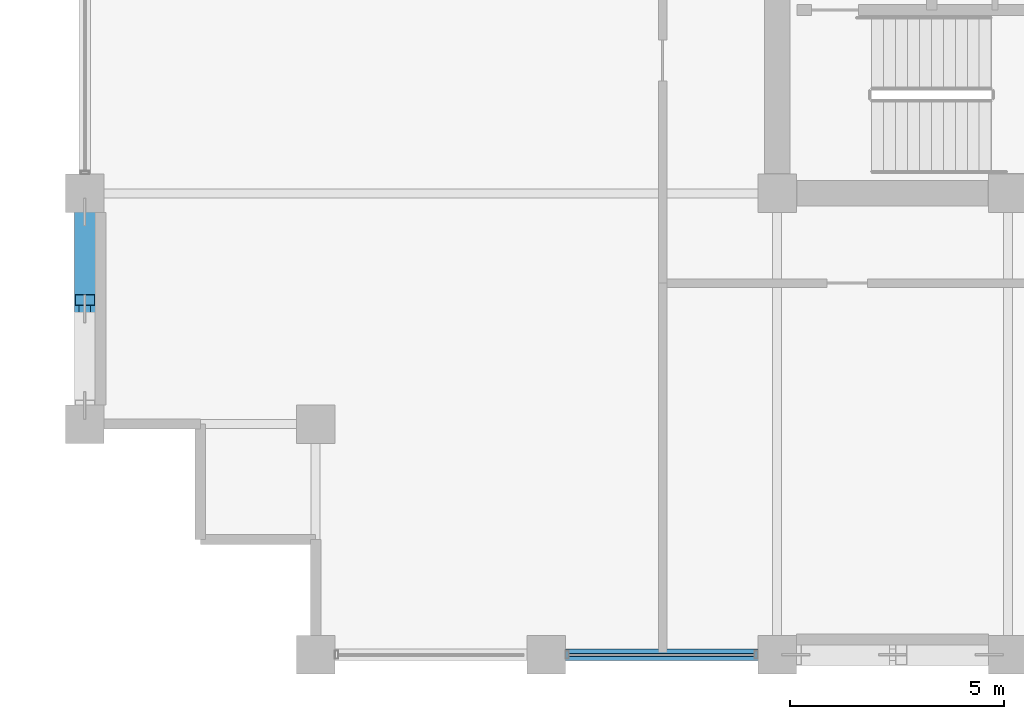
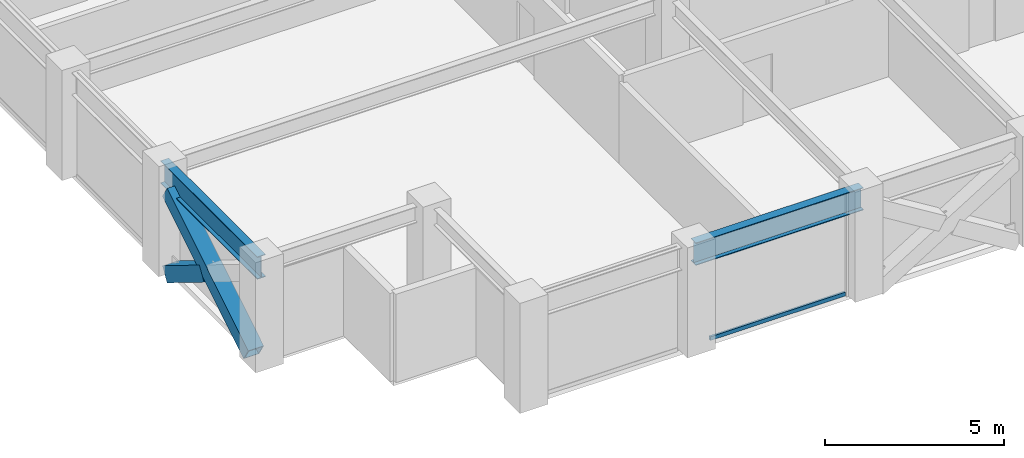
# One storey, part 3 of 32: 3 members, 2 beams, 1 element without a shape of its own.
"""IFC4 building model written with IfcOpenShell, lengths in metres."""

from ifc_helpers import new_model, si_unit, direction, frame, origin, origin_2d, place, context, subcontext, project, spatial, hollow_rectangle, i_section, extrude, material, layer, layer_set, material_profile, profile_set, type_object, element, aggregate, save


model = new_model("IFC4")

# Units and contexts
model_context = context("Model", 3, precision=1e-05, world=origin(), true_north=direction((0.0, 1.0)))
body_context = subcontext(model_context, "Body", "Model", "MODEL_VIEW")
ifc_project = project(units=[si_unit("LENGTHUNIT", "METRE"), si_unit("AREAUNIT", "SQUARE_METRE"), si_unit("VOLUMEUNIT", "CUBIC_METRE"), si_unit("PLANEANGLEUNIT", "RADIAN"), si_unit("MASSUNIT", "GRAM", prefix="KILO")], contexts=[model_context])

# Site, building, storey
site_placement = place(None, origin())
site = spatial("IfcSite", under=ifc_project, at=site_placement, CompositionType="ELEMENT")
building_placement = place(site_placement, origin())
building = spatial("IfcBuilding", under=site, at=building_placement, Name="Surkhivell Harbour Commons", CompositionType="ELEMENT")
storey_placement = place(building_placement, frame((0.0, 0.0, 186.0)))
storey = spatial("IfcBuildingStorey", under=building, at=storey_placement, Name="L48", CompositionType="ELEMENT", Elevation=186.0)

# Beams
ifc_material_1 = material(Name="Steel S355", Category="steel")
ifc_material_profile_1 = material_profile(ifc_material_1, i_section(OverallWidth=0.26806640625, OverallDepth=0.77001953125, WebThickness=0.015625, FlangeThickness=0.025390625, at=origin_2d()), Name="UB762x267x197")
ifc_profile_set_1 = profile_set([ifc_material_profile_1], Name="Steel S355")
beam_type = type_object("IfcBeamType", Name="BM-SPN-762", PredefinedType="SPANDREL", material=ifc_profile_set_1)
for number, where, z_axis, x_axis, name in (
    (1, (-27.0, -16.199951171875, 3.18505859375), (0.0, 1.0, 0.0), (-1.0, 0.0, 0.0), "L48 Tube Spandrel (-27.0,-16.2)"),
    (2, (-16.199951171875, -21.60009765625, 3.18505859375), (1.0, 0.0, 0.0), (0.0, 1.0, 0.0), "L48 Tube Spandrel (-16.2,-21.6)"),
):
    element("IfcBeam", number, at=place(storey_placement, frame(where, z_axis=z_axis, x_axis=x_axis)), inside=storey, type_object=beam_type, Name=name, PredefinedType="SPANDREL", context=body_context, shape_type="SweptSolid", body=[
        extrude(i_section(OverallWidth=0.26806640625, OverallDepth=0.77001953125, WebThickness=0.015625, FlangeThickness=0.025390625, at=origin_2d()), origin(), (0.0, 0.0, 1.0), 5.39990234375),
    ])

# Curtain wall, member
ifc_material_2 = material(Name="Anodised pale-metal aluminium and insulated glazing", Category="aluminium")
ifc_layer = layer(ifc_material_2, 0.18994140625)
ifc_layer_set = layer_set([ifc_layer], Name="Anodised pale-metal aluminium and insulated glazing")
curtain_wall_type = type_object("IfcCurtainWallType", Name="CW-SYS-Z3", PredefinedType="NOTDEFINED", material=ifc_layer_set)
curtain_wall_placement = place(storey_placement, origin())
curtain_wall = element("IfcCurtainWall", 3, at=curtain_wall_placement, inside=storey, type_object=curtain_wall_type, Name="L48 Curtain Wall CW-L48-E00S1", PredefinedType="NOTDEFINED")
ifc_material_3 = material(Name="Champagne anodised aluminium alloy 6063-T6", Category="aluminium")
ifc_material_profile_2 = material_profile(ifc_material_3, hollow_rectangle(XDim=0.070068359375, YDim=0.1298828125, WallThickness=0.00341796875, at=origin_2d()), Name="ALU-TRAN-70x130")
ifc_profile_set_2 = profile_set([ifc_material_profile_2], Name="Champagne anodised aluminium alloy 6063-T6")
member_type_1 = type_object("IfcMemberType", Name="CWT-130", PredefinedType="USERDEFINED", material=ifc_profile_set_2)
member_1_placement = place(storey_placement, frame((-15.673095703125, -21.60009765625, 0.06494140625), z_axis=(1.0, 0.0, 0.0), x_axis=(0.0, 1.0, 0.0)))
member_1 = element("IfcMember", 4, at=member_1_placement, type_object=member_type_1, Name="CW-Z3 transom 2.1", ObjectType="TRANSOM", PredefinedType="USERDEFINED", context=body_context, shape_type="SweptSolid", body=[
    extrude(hollow_rectangle(XDim=0.070068359375, YDim=0.1298828125, WallThickness=0.00341796875, at=origin_2d()), origin(), (0.0, 0.0, 1.0), 4.34619140625),
])
aggregate(curtain_wall, [member_1])

# Members
ifc_material_4 = material(Name="Steel S460", Category="steel")
ifc_material_profile_3 = material_profile(ifc_material_4, hollow_rectangle(XDim=0.5, YDim=0.5, WallThickness=0.02490234375, at=origin_2d()), Name="SHS500x500x25")
ifc_profile_set_3 = profile_set([ifc_material_profile_3], Name="Steel S460")
member_type_2 = type_object("IfcMemberType", Name="MEM-BRC-SHS500", PredefinedType="BRACE", material=ifc_profile_set_3)
member_2_placement = place(storey_placement, frame((-27.0, -15.764892578125, 0.008056640625), z_axis=(0.0, 0.850958380769, 0.525233123669), x_axis=(-1.0, 0.0, 0.0)))
element("IfcMember", 5, at=member_2_placement, inside=storey, type_object=member_type_2, Name="L48 Perimeter Mega-Brace MB- 10", PredefinedType="BRACE", context=body_context, shape_type="SweptSolid", body=[
    extrude(hollow_rectangle(XDim=0.5, YDim=0.5, WallThickness=0.02490234375, at=origin_2d()), origin(), (0.0, 0.0, 1.0), 5.3232421875),
])
member_3_placement = place(storey_placement, frame((-27.0, -11.235107421875, 0.008056640625), z_axis=(0.0, -0.8510034189, 0.525160147974), x_axis=(1.0, 0.0, 0.0)))
element("IfcMember", 6, at=member_3_placement, inside=storey, type_object=member_type_2, Name="L48 Perimeter Mega-Brace MB- 11", PredefinedType="BRACE", context=body_context, shape_type="SweptSolid", body=[
    extrude(hollow_rectangle(XDim=0.5, YDim=0.5, WallThickness=0.02490234375, at=origin_2d()), origin(), (0.0, 0.0, 1.0), 2.421630859375),
])

save(model, "model.ifc")
